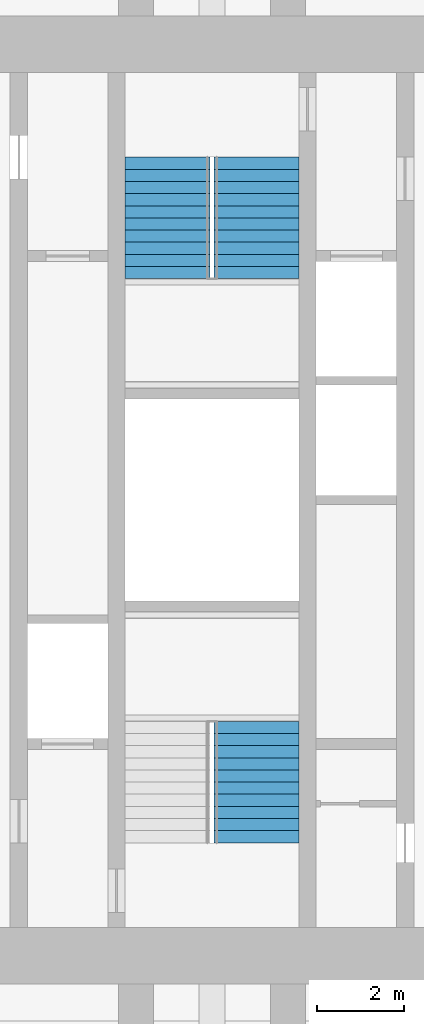
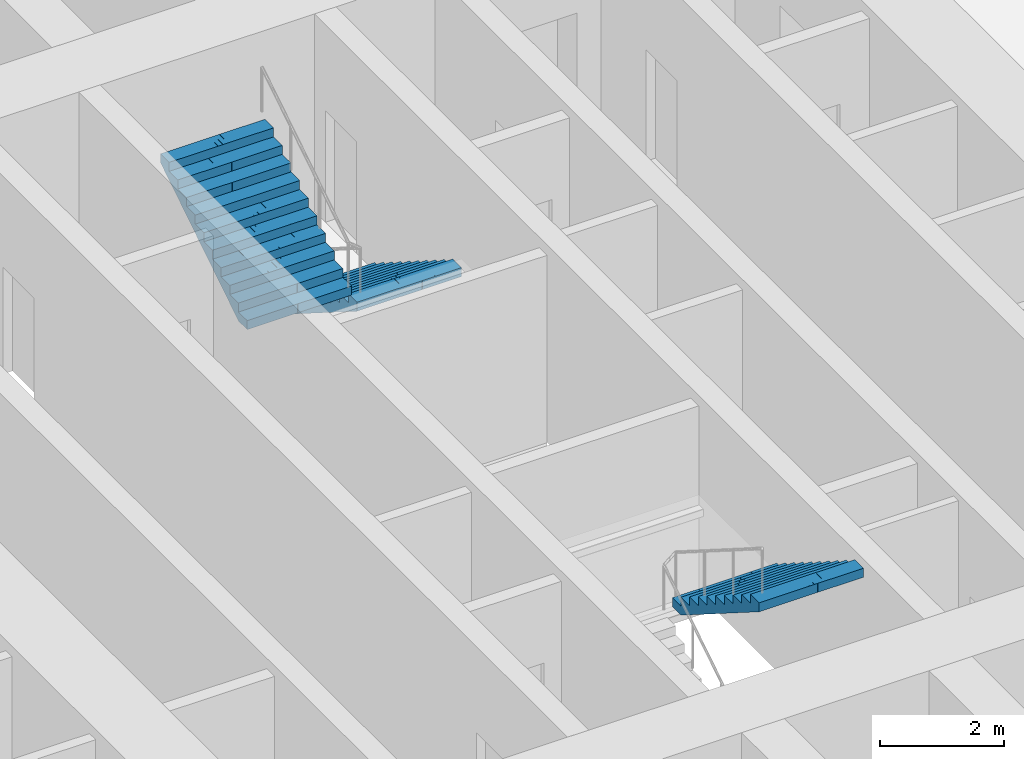
# One storey, part 16 of 17: 3 stair flights, 2 elements without a shape of their own.
"""IFC4 building model written with IfcOpenShell, lengths in metres."""

from ifc_helpers import new_model, si_unit, direction, frame, origin, place, context, subcontext, project, spatial, polyline, outline, extrude, material, type_object, element, aggregate, save


model = new_model("IFC4")

# Units and contexts
model_context = context("Model", 3, precision=1e-05, world=origin(), true_north=direction((0.0, 1.0)))
body_context = subcontext(model_context, "Body", "Model", "MODEL_VIEW")
ifc_project = project(units=[si_unit("LENGTHUNIT", "METRE"), si_unit("AREAUNIT", "SQUARE_METRE"), si_unit("VOLUMEUNIT", "CUBIC_METRE"), si_unit("PLANEANGLEUNIT", "RADIAN"), si_unit("MASSUNIT", "GRAM", prefix="KILO")], contexts=[model_context])

# Site, building, storey
site_placement = place(None, origin())
site = spatial("IfcSite", under=ifc_project, at=site_placement, CompositionType="ELEMENT")
building_placement = place(site_placement, origin())
building = spatial("IfcBuilding", under=site, at=building_placement, Name="Mizan Broadcast Tower", CompositionType="ELEMENT")
storey_placement = place(building_placement, frame((0.0, 0.0, 255.60009765625)))
storey = spatial("IfcBuildingStorey", under=building, at=storey_placement, Name="L60", CompositionType="ELEMENT", Elevation=255.60009765625)

# Stair, stair flight
ifc_material_1 = material(Name="Concrete C40/50", Category="concrete")
stair_type = type_object("IfcStairType", Name="EXIT STAIR", PredefinedType="HALF_TURN_STAIR", material=ifc_material_1)
stair_1_placement = place(storey_placement, origin())
stair_1 = element("IfcStair", 1, at=stair_1_placement, inside=storey, type_object=stair_type, Name="Stair A L60", PredefinedType="HALF_TURN_STAIR")
ifc_material_2 = material(Name="Concrete C40/50", Category="concrete")
stair_flight_type = type_object("IfcStairFlightType", Name="EXIT STAIR FLIGHT", PredefinedType="STRAIGHT", material=ifc_material_2)
stair_flight_1_placement = place(storey_placement, frame((1.02490234375, -5.10009765625, 1.949951171875), z_axis=(0.0, 0.0, 1.0), x_axis=(0.0, -1.0, 0.0)))
stair_flight_1 = element("IfcStairFlight", 2, at=stair_flight_1_placement, type_object=stair_flight_type, Name="A flight 2", NumberOfRisers=11, NumberOfTreads=10, PredefinedType="STRAIGHT", RiserHeight=0.177272727, TreadLength=0.28, context=body_context, shape_type="SweptSolid", body=[
    extrude(outline(polyline([(0.0, 0.0), (0.0, 0.17724609375), (0.280029296875, 0.17724609375), (0.280029296875, 0.3544921875), (0.56005859375, 0.3544921875), (0.56005859375, 0.53173828125), (0.840087890625, 0.53173828125), (0.840087890625, 0.708984375), (1.1201171875, 0.708984375), (1.1201171875, 0.886474609375), (1.39990234375, 0.886474609375), (1.39990234375, 1.063720703125), (1.679931640625, 1.063720703125), (1.679931640625, 1.240966796875), (1.9599609375, 1.240966796875), (1.9599609375, 1.418212890625), (2.239990234375, 1.418212890625), (2.239990234375, 1.595458984375), (2.52001953125, 1.595458984375), (2.52001953125, 1.772705078125), (2.800048828125, 1.772705078125), (2.800048828125, 1.949951171875), (2.800048828125, 1.59521484375), (0.2802734375, 0.0), (0.0, 0.0)])), frame((0.0, 0.97509765625, 0.0), z_axis=(0.0, -1.0, 0.0), x_axis=(1.0, 0.0, 0.0)), (0.0, 0.0, 1.0), 0.4873046875),
    extrude(outline(polyline([(0.0, 0.0), (0.0, 0.17724609375), (0.280029296875, 0.17724609375), (0.280029296875, 0.3544921875), (0.56005859375, 0.3544921875), (0.56005859375, 0.53173828125), (0.840087890625, 0.53173828125), (0.840087890625, 0.708984375), (1.1201171875, 0.708984375), (1.1201171875, 0.886474609375), (1.39990234375, 0.886474609375), (1.39990234375, 1.063720703125), (1.679931640625, 1.063720703125), (1.679931640625, 1.240966796875), (1.9599609375, 1.240966796875), (1.9599609375, 1.418212890625), (2.239990234375, 1.418212890625), (2.239990234375, 1.595458984375), (2.52001953125, 1.595458984375), (2.52001953125, 1.772705078125), (2.800048828125, 1.772705078125), (2.800048828125, 1.949951171875), (2.800048828125, 1.59521484375), (0.2802734375, 0.0), (0.0, 0.0)])), frame((0.0, 0.4873046875, 0.0), z_axis=(0.0, -1.0, 0.0), x_axis=(1.0, 0.0, 0.0)), (0.0, 0.0, 1.0), 0.2431640625),
    extrude(outline(polyline([(0.0, 0.0), (0.0, 0.17724609375), (0.280029296875, 0.17724609375), (0.280029296875, 0.3544921875), (0.56005859375, 0.3544921875), (0.56005859375, 0.53173828125), (0.840087890625, 0.53173828125), (0.840087890625, 0.708984375), (1.1201171875, 0.708984375), (1.1201171875, 0.886474609375), (1.39990234375, 0.886474609375), (1.39990234375, 1.063720703125), (1.679931640625, 1.063720703125), (1.679931640625, 1.240966796875), (1.9599609375, 1.240966796875), (1.9599609375, 1.418212890625), (2.239990234375, 1.418212890625), (2.239990234375, 1.595458984375), (2.52001953125, 1.595458984375), (2.52001953125, 1.772705078125), (2.800048828125, 1.772705078125), (2.800048828125, 1.949951171875), (2.800048828125, 1.59521484375), (0.2802734375, 0.0), (0.0, 0.0)])), frame((0.0, 0.24365234375, 0.0), z_axis=(0.0, -1.0, 0.0), x_axis=(1.0, 0.0, 0.0)), (0.0, 0.0, 1.0), 0.121337890625),
    extrude(outline(polyline([(0.0, 0.0), (0.0, 0.17724609375), (0.280029296875, 0.17724609375), (0.280029296875, 0.3544921875), (0.56005859375, 0.3544921875), (0.56005859375, 0.53173828125), (0.840087890625, 0.53173828125), (0.840087890625, 0.708984375), (1.1201171875, 0.708984375), (1.1201171875, 0.886474609375), (1.39990234375, 0.886474609375), (1.39990234375, 1.063720703125), (1.679931640625, 1.063720703125), (1.679931640625, 1.240966796875), (1.9599609375, 1.240966796875), (1.9599609375, 1.418212890625), (2.239990234375, 1.418212890625), (2.239990234375, 1.595458984375), (2.52001953125, 1.595458984375), (2.52001953125, 1.772705078125), (2.800048828125, 1.772705078125), (2.800048828125, 1.949951171875), (2.800048828125, 1.59521484375), (0.2802734375, 0.0), (0.0, 0.0)])), frame((0.0, 0.121826171875, 0.0), z_axis=(0.0, -1.0, 0.0), x_axis=(1.0, 0.0, 0.0)), (0.0, 0.0, 1.0), 0.060546875),
    extrude(outline(polyline([(0.0, 0.0), (0.0, 0.17724609375), (0.280029296875, 0.17724609375), (0.280029296875, 0.3544921875), (0.56005859375, 0.3544921875), (0.56005859375, 0.53173828125), (0.840087890625, 0.53173828125), (0.840087890625, 0.708984375), (1.1201171875, 0.708984375), (1.1201171875, 0.886474609375), (1.39990234375, 0.886474609375), (1.39990234375, 1.063720703125), (1.679931640625, 1.063720703125), (1.679931640625, 1.240966796875), (1.9599609375, 1.240966796875), (1.9599609375, 1.418212890625), (2.239990234375, 1.418212890625), (2.239990234375, 1.595458984375), (2.52001953125, 1.595458984375), (2.52001953125, 1.772705078125), (2.800048828125, 1.772705078125), (2.800048828125, 1.949951171875), (2.800048828125, 1.59521484375), (0.2802734375, 0.0), (0.0, 0.0)])), frame((0.0, 0.060791015625, 0.0), z_axis=(0.0, -1.0, 0.0), x_axis=(1.0, 0.0, 0.0)), (0.0, 0.0, 1.0), 0.030029296875),
    extrude(outline(polyline([(0.0, 0.0), (0.0, 0.17724609375), (0.280029296875, 0.17724609375), (0.280029296875, 0.3544921875), (0.56005859375, 0.3544921875), (0.56005859375, 0.53173828125), (0.840087890625, 0.53173828125), (0.840087890625, 0.708984375), (1.1201171875, 0.708984375), (1.1201171875, 0.886474609375), (1.39990234375, 0.886474609375), (1.39990234375, 1.063720703125), (1.679931640625, 1.063720703125), (1.679931640625, 1.240966796875), (1.9599609375, 1.240966796875), (1.9599609375, 1.418212890625), (2.239990234375, 1.418212890625), (2.239990234375, 1.595458984375), (2.52001953125, 1.595458984375), (2.52001953125, 1.772705078125), (2.800048828125, 1.772705078125), (2.800048828125, 1.949951171875), (2.800048828125, 1.59521484375), (0.2802734375, 0.0), (0.0, 0.0)])), frame((0.0, 0.0302734375, 0.0), z_axis=(0.0, -1.0, 0.0), x_axis=(1.0, 0.0, 0.0)), (0.0, 0.0, 1.0), 0.060302734375),
    extrude(outline(polyline([(0.0, 0.0), (0.0, 0.17724609375), (0.280029296875, 0.17724609375), (0.280029296875, 0.3544921875), (0.56005859375, 0.3544921875), (0.56005859375, 0.53173828125), (0.840087890625, 0.53173828125), (0.840087890625, 0.708984375), (1.1201171875, 0.708984375), (1.1201171875, 0.886474609375), (1.39990234375, 0.886474609375), (1.39990234375, 1.063720703125), (1.679931640625, 1.063720703125), (1.679931640625, 1.240966796875), (1.9599609375, 1.240966796875), (1.9599609375, 1.418212890625), (2.239990234375, 1.418212890625), (2.239990234375, 1.595458984375), (2.52001953125, 1.595458984375), (2.52001953125, 1.772705078125), (2.800048828125, 1.772705078125), (2.800048828125, 1.949951171875), (2.800048828125, 1.59521484375), (0.2802734375, 0.0), (0.0, 0.0)])), frame((0.0, -0.030517578125, 0.0), z_axis=(0.0, -1.0, 0.0), x_axis=(1.0, 0.0, 0.0)), (0.0, 0.0, 1.0), 0.030029296875),
    extrude(outline(polyline([(0.0, 0.0), (0.0, 0.17724609375), (0.280029296875, 0.17724609375), (0.280029296875, 0.3544921875), (0.56005859375, 0.3544921875), (0.56005859375, 0.53173828125), (0.840087890625, 0.53173828125), (0.840087890625, 0.708984375), (1.1201171875, 0.708984375), (1.1201171875, 0.886474609375), (1.39990234375, 0.886474609375), (1.39990234375, 1.063720703125), (1.679931640625, 1.063720703125), (1.679931640625, 1.240966796875), (1.9599609375, 1.240966796875), (1.9599609375, 1.418212890625), (2.239990234375, 1.418212890625), (2.239990234375, 1.595458984375), (2.52001953125, 1.595458984375), (2.52001953125, 1.772705078125), (2.800048828125, 1.772705078125), (2.800048828125, 1.949951171875), (2.800048828125, 1.59521484375), (0.2802734375, 0.0), (0.0, 0.0)])), frame((0.0, -0.06103515625, 0.0), z_axis=(0.0, -1.0, 0.0), x_axis=(1.0, 0.0, 0.0)), (0.0, 0.0, 1.0), 0.060546875),
    extrude(outline(polyline([(0.0, 0.0), (0.0, 0.17724609375), (0.280029296875, 0.17724609375), (0.280029296875, 0.3544921875), (0.56005859375, 0.3544921875), (0.56005859375, 0.53173828125), (0.840087890625, 0.53173828125), (0.840087890625, 0.708984375), (1.1201171875, 0.708984375), (1.1201171875, 0.886474609375), (1.39990234375, 0.886474609375), (1.39990234375, 1.063720703125), (1.679931640625, 1.063720703125), (1.679931640625, 1.240966796875), (1.9599609375, 1.240966796875), (1.9599609375, 1.418212890625), (2.239990234375, 1.418212890625), (2.239990234375, 1.595458984375), (2.52001953125, 1.595458984375), (2.52001953125, 1.772705078125), (2.800048828125, 1.772705078125), (2.800048828125, 1.949951171875), (2.800048828125, 1.59521484375), (0.2802734375, 0.0), (0.0, 0.0)])), frame((0.0, -0.1220703125, 0.0), z_axis=(0.0, -1.0, 0.0), x_axis=(1.0, 0.0, 0.0)), (0.0, 0.0, 1.0), 0.121337890625),
    extrude(outline(polyline([(0.0, 0.0), (0.0, 0.17724609375), (0.280029296875, 0.17724609375), (0.280029296875, 0.3544921875), (0.56005859375, 0.3544921875), (0.56005859375, 0.53173828125), (0.840087890625, 0.53173828125), (0.840087890625, 0.708984375), (1.1201171875, 0.708984375), (1.1201171875, 0.886474609375), (1.39990234375, 0.886474609375), (1.39990234375, 1.063720703125), (1.679931640625, 1.063720703125), (1.679931640625, 1.240966796875), (1.9599609375, 1.240966796875), (1.9599609375, 1.418212890625), (2.239990234375, 1.418212890625), (2.239990234375, 1.595458984375), (2.52001953125, 1.595458984375), (2.52001953125, 1.772705078125), (2.800048828125, 1.772705078125), (2.800048828125, 1.949951171875), (2.800048828125, 1.59521484375), (0.2802734375, 0.0), (0.0, 0.0)])), frame((0.0, -0.243896484375, 0.0), z_axis=(0.0, -1.0, 0.0), x_axis=(1.0, 0.0, 0.0)), (0.0, 0.0, 1.0), 0.2431640625),
    extrude(outline(polyline([(0.0, 0.0), (0.0, 0.17724609375), (0.280029296875, 0.17724609375), (0.280029296875, 0.3544921875), (0.56005859375, 0.3544921875), (0.56005859375, 0.53173828125), (0.840087890625, 0.53173828125), (0.840087890625, 0.708984375), (1.1201171875, 0.708984375), (1.1201171875, 0.886474609375), (1.39990234375, 0.886474609375), (1.39990234375, 1.063720703125), (1.679931640625, 1.063720703125), (1.679931640625, 1.240966796875), (1.9599609375, 1.240966796875), (1.9599609375, 1.418212890625), (2.239990234375, 1.418212890625), (2.239990234375, 1.595458984375), (2.52001953125, 1.595458984375), (2.52001953125, 1.772705078125), (2.800048828125, 1.772705078125), (2.800048828125, 1.949951171875), (2.800048828125, 1.59521484375), (0.2802734375, 0.0), (0.0, 0.0)])), frame((0.0, -0.487548828125, 0.0), z_axis=(0.0, -1.0, 0.0), x_axis=(1.0, 0.0, 0.0)), (0.0, 0.0, 1.0), 0.4873046875),
])
aggregate(stair_1, [stair_flight_1])

# Stair, stair flights
stair_2_placement = place(storey_placement, origin())
stair_2 = element("IfcStair", 3, at=stair_2_placement, inside=storey, type_object=stair_type, Name="Stair B L60", PredefinedType="HALF_TURN_STAIR")
stair_flight_2_placement = place(storey_placement, frame((1.02490234375, 7.89990234375, 0.0), z_axis=(0.0, 0.0, 1.0), x_axis=(0.0, -1.0, 0.0)))
stair_flight_2 = element("IfcStairFlight", 4, at=stair_flight_2_placement, type_object=stair_flight_type, Name="B flight 1", NumberOfRisers=11, NumberOfTreads=10, PredefinedType="STRAIGHT", RiserHeight=0.177272727, TreadLength=0.28, context=body_context, shape_type="SweptSolid", body=[
    extrude(outline(polyline([(0.0, 0.0), (0.0, 0.17724609375), (0.280029296875, 0.17724609375), (0.280029296875, 0.3544921875), (0.56005859375, 0.3544921875), (0.56005859375, 0.53173828125), (0.840087890625, 0.53173828125), (0.840087890625, 0.708984375), (1.1201171875, 0.708984375), (1.1201171875, 0.886474609375), (1.39990234375, 0.886474609375), (1.39990234375, 1.063720703125), (1.679931640625, 1.063720703125), (1.679931640625, 1.240966796875), (1.9599609375, 1.240966796875), (1.9599609375, 1.418212890625), (2.239990234375, 1.418212890625), (2.239990234375, 1.595458984375), (2.52001953125, 1.595458984375), (2.52001953125, 1.772705078125), (2.800048828125, 1.772705078125), (2.800048828125, 1.949951171875), (2.800048828125, 1.59521484375), (0.2802734375, 0.0), (0.0, 0.0)])), frame((0.0, 0.97509765625, 0.0), z_axis=(0.0, -1.0, 0.0), x_axis=(1.0, 0.0, 0.0)), (0.0, 0.0, 1.0), 0.4873046875),
    extrude(outline(polyline([(0.0, 0.0), (0.0, 0.17724609375), (0.280029296875, 0.17724609375), (0.280029296875, 0.3544921875), (0.56005859375, 0.3544921875), (0.56005859375, 0.53173828125), (0.840087890625, 0.53173828125), (0.840087890625, 0.708984375), (1.1201171875, 0.708984375), (1.1201171875, 0.886474609375), (1.39990234375, 0.886474609375), (1.39990234375, 1.063720703125), (1.679931640625, 1.063720703125), (1.679931640625, 1.240966796875), (1.9599609375, 1.240966796875), (1.9599609375, 1.418212890625), (2.239990234375, 1.418212890625), (2.239990234375, 1.595458984375), (2.52001953125, 1.595458984375), (2.52001953125, 1.772705078125), (2.800048828125, 1.772705078125), (2.800048828125, 1.949951171875), (2.800048828125, 1.59521484375), (0.2802734375, 0.0), (0.0, 0.0)])), frame((0.0, 0.4873046875, 0.0), z_axis=(0.0, -1.0, 0.0), x_axis=(1.0, 0.0, 0.0)), (0.0, 0.0, 1.0), 0.2431640625),
    extrude(outline(polyline([(0.0, 0.0), (0.0, 0.17724609375), (0.280029296875, 0.17724609375), (0.280029296875, 0.3544921875), (0.56005859375, 0.3544921875), (0.56005859375, 0.53173828125), (0.840087890625, 0.53173828125), (0.840087890625, 0.708984375), (1.1201171875, 0.708984375), (1.1201171875, 0.886474609375), (1.39990234375, 0.886474609375), (1.39990234375, 1.063720703125), (1.679931640625, 1.063720703125), (1.679931640625, 1.240966796875), (1.9599609375, 1.240966796875), (1.9599609375, 1.418212890625), (2.239990234375, 1.418212890625), (2.239990234375, 1.595458984375), (2.52001953125, 1.595458984375), (2.52001953125, 1.772705078125), (2.800048828125, 1.772705078125), (2.800048828125, 1.949951171875), (2.800048828125, 1.59521484375), (0.2802734375, 0.0), (0.0, 0.0)])), frame((0.0, 0.24365234375, 0.0), z_axis=(0.0, -1.0, 0.0), x_axis=(1.0, 0.0, 0.0)), (0.0, 0.0, 1.0), 0.121337890625),
    extrude(outline(polyline([(0.0, 0.0), (0.0, 0.17724609375), (0.280029296875, 0.17724609375), (0.280029296875, 0.3544921875), (0.56005859375, 0.3544921875), (0.56005859375, 0.53173828125), (0.840087890625, 0.53173828125), (0.840087890625, 0.708984375), (1.1201171875, 0.708984375), (1.1201171875, 0.886474609375), (1.39990234375, 0.886474609375), (1.39990234375, 1.063720703125), (1.679931640625, 1.063720703125), (1.679931640625, 1.240966796875), (1.9599609375, 1.240966796875), (1.9599609375, 1.418212890625), (2.239990234375, 1.418212890625), (2.239990234375, 1.595458984375), (2.52001953125, 1.595458984375), (2.52001953125, 1.772705078125), (2.800048828125, 1.772705078125), (2.800048828125, 1.949951171875), (2.800048828125, 1.59521484375), (0.2802734375, 0.0), (0.0, 0.0)])), frame((0.0, 0.121826171875, 0.0), z_axis=(0.0, -1.0, 0.0), x_axis=(1.0, 0.0, 0.0)), (0.0, 0.0, 1.0), 0.060546875),
    extrude(outline(polyline([(0.0, 0.0), (0.0, 0.17724609375), (0.280029296875, 0.17724609375), (0.280029296875, 0.3544921875), (0.56005859375, 0.3544921875), (0.56005859375, 0.53173828125), (0.840087890625, 0.53173828125), (0.840087890625, 0.708984375), (1.1201171875, 0.708984375), (1.1201171875, 0.886474609375), (1.39990234375, 0.886474609375), (1.39990234375, 1.063720703125), (1.679931640625, 1.063720703125), (1.679931640625, 1.240966796875), (1.9599609375, 1.240966796875), (1.9599609375, 1.418212890625), (2.239990234375, 1.418212890625), (2.239990234375, 1.595458984375), (2.52001953125, 1.595458984375), (2.52001953125, 1.772705078125), (2.800048828125, 1.772705078125), (2.800048828125, 1.949951171875), (2.800048828125, 1.59521484375), (0.2802734375, 0.0), (0.0, 0.0)])), frame((0.0, 0.060791015625, 0.0), z_axis=(0.0, -1.0, 0.0), x_axis=(1.0, 0.0, 0.0)), (0.0, 0.0, 1.0), 0.030029296875),
    extrude(outline(polyline([(0.0, 0.0), (0.0, 0.17724609375), (0.280029296875, 0.17724609375), (0.280029296875, 0.3544921875), (0.56005859375, 0.3544921875), (0.56005859375, 0.53173828125), (0.840087890625, 0.53173828125), (0.840087890625, 0.708984375), (1.1201171875, 0.708984375), (1.1201171875, 0.886474609375), (1.39990234375, 0.886474609375), (1.39990234375, 1.063720703125), (1.679931640625, 1.063720703125), (1.679931640625, 1.240966796875), (1.9599609375, 1.240966796875), (1.9599609375, 1.418212890625), (2.239990234375, 1.418212890625), (2.239990234375, 1.595458984375), (2.52001953125, 1.595458984375), (2.52001953125, 1.772705078125), (2.800048828125, 1.772705078125), (2.800048828125, 1.949951171875), (2.800048828125, 1.59521484375), (0.2802734375, 0.0), (0.0, 0.0)])), frame((0.0, 0.0302734375, 0.0), z_axis=(0.0, -1.0, 0.0), x_axis=(1.0, 0.0, 0.0)), (0.0, 0.0, 1.0), 0.060302734375),
    extrude(outline(polyline([(0.0, 0.0), (0.0, 0.17724609375), (0.280029296875, 0.17724609375), (0.280029296875, 0.3544921875), (0.56005859375, 0.3544921875), (0.56005859375, 0.53173828125), (0.840087890625, 0.53173828125), (0.840087890625, 0.708984375), (1.1201171875, 0.708984375), (1.1201171875, 0.886474609375), (1.39990234375, 0.886474609375), (1.39990234375, 1.063720703125), (1.679931640625, 1.063720703125), (1.679931640625, 1.240966796875), (1.9599609375, 1.240966796875), (1.9599609375, 1.418212890625), (2.239990234375, 1.418212890625), (2.239990234375, 1.595458984375), (2.52001953125, 1.595458984375), (2.52001953125, 1.772705078125), (2.800048828125, 1.772705078125), (2.800048828125, 1.949951171875), (2.800048828125, 1.59521484375), (0.2802734375, 0.0), (0.0, 0.0)])), frame((0.0, -0.030517578125, 0.0), z_axis=(0.0, -1.0, 0.0), x_axis=(1.0, 0.0, 0.0)), (0.0, 0.0, 1.0), 0.030029296875),
    extrude(outline(polyline([(0.0, 0.0), (0.0, 0.17724609375), (0.280029296875, 0.17724609375), (0.280029296875, 0.3544921875), (0.56005859375, 0.3544921875), (0.56005859375, 0.53173828125), (0.840087890625, 0.53173828125), (0.840087890625, 0.708984375), (1.1201171875, 0.708984375), (1.1201171875, 0.886474609375), (1.39990234375, 0.886474609375), (1.39990234375, 1.063720703125), (1.679931640625, 1.063720703125), (1.679931640625, 1.240966796875), (1.9599609375, 1.240966796875), (1.9599609375, 1.418212890625), (2.239990234375, 1.418212890625), (2.239990234375, 1.595458984375), (2.52001953125, 1.595458984375), (2.52001953125, 1.772705078125), (2.800048828125, 1.772705078125), (2.800048828125, 1.949951171875), (2.800048828125, 1.59521484375), (0.2802734375, 0.0), (0.0, 0.0)])), frame((0.0, -0.06103515625, 0.0), z_axis=(0.0, -1.0, 0.0), x_axis=(1.0, 0.0, 0.0)), (0.0, 0.0, 1.0), 0.060546875),
    extrude(outline(polyline([(0.0, 0.0), (0.0, 0.17724609375), (0.280029296875, 0.17724609375), (0.280029296875, 0.3544921875), (0.56005859375, 0.3544921875), (0.56005859375, 0.53173828125), (0.840087890625, 0.53173828125), (0.840087890625, 0.708984375), (1.1201171875, 0.708984375), (1.1201171875, 0.886474609375), (1.39990234375, 0.886474609375), (1.39990234375, 1.063720703125), (1.679931640625, 1.063720703125), (1.679931640625, 1.240966796875), (1.9599609375, 1.240966796875), (1.9599609375, 1.418212890625), (2.239990234375, 1.418212890625), (2.239990234375, 1.595458984375), (2.52001953125, 1.595458984375), (2.52001953125, 1.772705078125), (2.800048828125, 1.772705078125), (2.800048828125, 1.949951171875), (2.800048828125, 1.59521484375), (0.2802734375, 0.0), (0.0, 0.0)])), frame((0.0, -0.1220703125, 0.0), z_axis=(0.0, -1.0, 0.0), x_axis=(1.0, 0.0, 0.0)), (0.0, 0.0, 1.0), 0.121337890625),
    extrude(outline(polyline([(0.0, 0.0), (0.0, 0.17724609375), (0.280029296875, 0.17724609375), (0.280029296875, 0.3544921875), (0.56005859375, 0.3544921875), (0.56005859375, 0.53173828125), (0.840087890625, 0.53173828125), (0.840087890625, 0.708984375), (1.1201171875, 0.708984375), (1.1201171875, 0.886474609375), (1.39990234375, 0.886474609375), (1.39990234375, 1.063720703125), (1.679931640625, 1.063720703125), (1.679931640625, 1.240966796875), (1.9599609375, 1.240966796875), (1.9599609375, 1.418212890625), (2.239990234375, 1.418212890625), (2.239990234375, 1.595458984375), (2.52001953125, 1.595458984375), (2.52001953125, 1.772705078125), (2.800048828125, 1.772705078125), (2.800048828125, 1.949951171875), (2.800048828125, 1.59521484375), (0.2802734375, 0.0), (0.0, 0.0)])), frame((0.0, -0.243896484375, 0.0), z_axis=(0.0, -1.0, 0.0), x_axis=(1.0, 0.0, 0.0)), (0.0, 0.0, 1.0), 0.2431640625),
    extrude(outline(polyline([(0.0, 0.0), (0.0, 0.17724609375), (0.280029296875, 0.17724609375), (0.280029296875, 0.3544921875), (0.56005859375, 0.3544921875), (0.56005859375, 0.53173828125), (0.840087890625, 0.53173828125), (0.840087890625, 0.708984375), (1.1201171875, 0.708984375), (1.1201171875, 0.886474609375), (1.39990234375, 0.886474609375), (1.39990234375, 1.063720703125), (1.679931640625, 1.063720703125), (1.679931640625, 1.240966796875), (1.9599609375, 1.240966796875), (1.9599609375, 1.418212890625), (2.239990234375, 1.418212890625), (2.239990234375, 1.595458984375), (2.52001953125, 1.595458984375), (2.52001953125, 1.772705078125), (2.800048828125, 1.772705078125), (2.800048828125, 1.949951171875), (2.800048828125, 1.59521484375), (0.2802734375, 0.0), (0.0, 0.0)])), frame((0.0, -0.487548828125, 0.0), z_axis=(0.0, -1.0, 0.0), x_axis=(1.0, 0.0, 0.0)), (0.0, 0.0, 1.0), 0.4873046875),
])
stair_flight_3_placement = place(storey_placement, frame((-1.02490234375, 5.10009765625, 1.949951171875), z_axis=(0.0, 0.0, 1.0), x_axis=(0.0, 1.0, 0.0)))
stair_flight_3 = element("IfcStairFlight", 5, at=stair_flight_3_placement, type_object=stair_flight_type, Name="B flight 2", NumberOfRisers=11, NumberOfTreads=10, PredefinedType="STRAIGHT", RiserHeight=0.177272727, TreadLength=0.28, context=body_context, shape_type="SweptSolid", body=[
    extrude(outline(polyline([(0.0, 0.0), (0.0, 0.17724609375), (0.280029296875, 0.17724609375), (0.280029296875, 0.3544921875), (0.56005859375, 0.3544921875), (0.56005859375, 0.53173828125), (0.840087890625, 0.53173828125), (0.840087890625, 0.708984375), (1.1201171875, 0.708984375), (1.1201171875, 0.886474609375), (1.39990234375, 0.886474609375), (1.39990234375, 1.063720703125), (1.679931640625, 1.063720703125), (1.679931640625, 1.240966796875), (1.9599609375, 1.240966796875), (1.9599609375, 1.418212890625), (2.239990234375, 1.418212890625), (2.239990234375, 1.595458984375), (2.52001953125, 1.595458984375), (2.52001953125, 1.772705078125), (2.800048828125, 1.772705078125), (2.800048828125, 1.949951171875), (2.800048828125, 1.59521484375), (0.2802734375, 0.0), (0.0, 0.0)])), frame((0.0, 0.97509765625, 0.0), z_axis=(0.0, -1.0, 0.0), x_axis=(1.0, 0.0, 0.0)), (0.0, 0.0, 1.0), 0.4873046875),
    extrude(outline(polyline([(0.0, 0.0), (0.0, 0.17724609375), (0.280029296875, 0.17724609375), (0.280029296875, 0.3544921875), (0.56005859375, 0.3544921875), (0.56005859375, 0.53173828125), (0.840087890625, 0.53173828125), (0.840087890625, 0.708984375), (1.1201171875, 0.708984375), (1.1201171875, 0.886474609375), (1.39990234375, 0.886474609375), (1.39990234375, 1.063720703125), (1.679931640625, 1.063720703125), (1.679931640625, 1.240966796875), (1.9599609375, 1.240966796875), (1.9599609375, 1.418212890625), (2.239990234375, 1.418212890625), (2.239990234375, 1.595458984375), (2.52001953125, 1.595458984375), (2.52001953125, 1.772705078125), (2.800048828125, 1.772705078125), (2.800048828125, 1.949951171875), (2.800048828125, 1.59521484375), (0.2802734375, 0.0), (0.0, 0.0)])), frame((0.0, 0.4873046875, 0.0), z_axis=(0.0, -1.0, 0.0), x_axis=(1.0, 0.0, 0.0)), (0.0, 0.0, 1.0), 0.2431640625),
    extrude(outline(polyline([(0.0, 0.0), (0.0, 0.17724609375), (0.280029296875, 0.17724609375), (0.280029296875, 0.3544921875), (0.56005859375, 0.3544921875), (0.56005859375, 0.53173828125), (0.840087890625, 0.53173828125), (0.840087890625, 0.708984375), (1.1201171875, 0.708984375), (1.1201171875, 0.886474609375), (1.39990234375, 0.886474609375), (1.39990234375, 1.063720703125), (1.679931640625, 1.063720703125), (1.679931640625, 1.240966796875), (1.9599609375, 1.240966796875), (1.9599609375, 1.418212890625), (2.239990234375, 1.418212890625), (2.239990234375, 1.595458984375), (2.52001953125, 1.595458984375), (2.52001953125, 1.772705078125), (2.800048828125, 1.772705078125), (2.800048828125, 1.949951171875), (2.800048828125, 1.59521484375), (0.2802734375, 0.0), (0.0, 0.0)])), frame((0.0, 0.24365234375, 0.0), z_axis=(0.0, -1.0, 0.0), x_axis=(1.0, 0.0, 0.0)), (0.0, 0.0, 1.0), 0.121337890625),
    extrude(outline(polyline([(0.0, 0.0), (0.0, 0.17724609375), (0.280029296875, 0.17724609375), (0.280029296875, 0.3544921875), (0.56005859375, 0.3544921875), (0.56005859375, 0.53173828125), (0.840087890625, 0.53173828125), (0.840087890625, 0.708984375), (1.1201171875, 0.708984375), (1.1201171875, 0.886474609375), (1.39990234375, 0.886474609375), (1.39990234375, 1.063720703125), (1.679931640625, 1.063720703125), (1.679931640625, 1.240966796875), (1.9599609375, 1.240966796875), (1.9599609375, 1.418212890625), (2.239990234375, 1.418212890625), (2.239990234375, 1.595458984375), (2.52001953125, 1.595458984375), (2.52001953125, 1.772705078125), (2.800048828125, 1.772705078125), (2.800048828125, 1.949951171875), (2.800048828125, 1.59521484375), (0.2802734375, 0.0), (0.0, 0.0)])), frame((0.0, 0.121826171875, 0.0), z_axis=(0.0, -1.0, 0.0), x_axis=(1.0, 0.0, 0.0)), (0.0, 0.0, 1.0), 0.060546875),
    extrude(outline(polyline([(0.0, 0.0), (0.0, 0.17724609375), (0.280029296875, 0.17724609375), (0.280029296875, 0.3544921875), (0.56005859375, 0.3544921875), (0.56005859375, 0.53173828125), (0.840087890625, 0.53173828125), (0.840087890625, 0.708984375), (1.1201171875, 0.708984375), (1.1201171875, 0.886474609375), (1.39990234375, 0.886474609375), (1.39990234375, 1.063720703125), (1.679931640625, 1.063720703125), (1.679931640625, 1.240966796875), (1.9599609375, 1.240966796875), (1.9599609375, 1.418212890625), (2.239990234375, 1.418212890625), (2.239990234375, 1.595458984375), (2.52001953125, 1.595458984375), (2.52001953125, 1.772705078125), (2.800048828125, 1.772705078125), (2.800048828125, 1.949951171875), (2.800048828125, 1.59521484375), (0.2802734375, 0.0), (0.0, 0.0)])), frame((0.0, 0.060791015625, 0.0), z_axis=(0.0, -1.0, 0.0), x_axis=(1.0, 0.0, 0.0)), (0.0, 0.0, 1.0), 0.030029296875),
    extrude(outline(polyline([(0.0, 0.0), (0.0, 0.17724609375), (0.280029296875, 0.17724609375), (0.280029296875, 0.3544921875), (0.56005859375, 0.3544921875), (0.56005859375, 0.53173828125), (0.840087890625, 0.53173828125), (0.840087890625, 0.708984375), (1.1201171875, 0.708984375), (1.1201171875, 0.886474609375), (1.39990234375, 0.886474609375), (1.39990234375, 1.063720703125), (1.679931640625, 1.063720703125), (1.679931640625, 1.240966796875), (1.9599609375, 1.240966796875), (1.9599609375, 1.418212890625), (2.239990234375, 1.418212890625), (2.239990234375, 1.595458984375), (2.52001953125, 1.595458984375), (2.52001953125, 1.772705078125), (2.800048828125, 1.772705078125), (2.800048828125, 1.949951171875), (2.800048828125, 1.59521484375), (0.2802734375, 0.0), (0.0, 0.0)])), frame((0.0, 0.0302734375, 0.0), z_axis=(0.0, -1.0, 0.0), x_axis=(1.0, 0.0, 0.0)), (0.0, 0.0, 1.0), 0.060302734375),
    extrude(outline(polyline([(0.0, 0.0), (0.0, 0.17724609375), (0.280029296875, 0.17724609375), (0.280029296875, 0.3544921875), (0.56005859375, 0.3544921875), (0.56005859375, 0.53173828125), (0.840087890625, 0.53173828125), (0.840087890625, 0.708984375), (1.1201171875, 0.708984375), (1.1201171875, 0.886474609375), (1.39990234375, 0.886474609375), (1.39990234375, 1.063720703125), (1.679931640625, 1.063720703125), (1.679931640625, 1.240966796875), (1.9599609375, 1.240966796875), (1.9599609375, 1.418212890625), (2.239990234375, 1.418212890625), (2.239990234375, 1.595458984375), (2.52001953125, 1.595458984375), (2.52001953125, 1.772705078125), (2.800048828125, 1.772705078125), (2.800048828125, 1.949951171875), (2.800048828125, 1.59521484375), (0.2802734375, 0.0), (0.0, 0.0)])), frame((0.0, -0.030517578125, 0.0), z_axis=(0.0, -1.0, 0.0), x_axis=(1.0, 0.0, 0.0)), (0.0, 0.0, 1.0), 0.030029296875),
    extrude(outline(polyline([(0.0, 0.0), (0.0, 0.17724609375), (0.280029296875, 0.17724609375), (0.280029296875, 0.3544921875), (0.56005859375, 0.3544921875), (0.56005859375, 0.53173828125), (0.840087890625, 0.53173828125), (0.840087890625, 0.708984375), (1.1201171875, 0.708984375), (1.1201171875, 0.886474609375), (1.39990234375, 0.886474609375), (1.39990234375, 1.063720703125), (1.679931640625, 1.063720703125), (1.679931640625, 1.240966796875), (1.9599609375, 1.240966796875), (1.9599609375, 1.418212890625), (2.239990234375, 1.418212890625), (2.239990234375, 1.595458984375), (2.52001953125, 1.595458984375), (2.52001953125, 1.772705078125), (2.800048828125, 1.772705078125), (2.800048828125, 1.949951171875), (2.800048828125, 1.59521484375), (0.2802734375, 0.0), (0.0, 0.0)])), frame((0.0, -0.06103515625, 0.0), z_axis=(0.0, -1.0, 0.0), x_axis=(1.0, 0.0, 0.0)), (0.0, 0.0, 1.0), 0.060546875),
    extrude(outline(polyline([(0.0, 0.0), (0.0, 0.17724609375), (0.280029296875, 0.17724609375), (0.280029296875, 0.3544921875), (0.56005859375, 0.3544921875), (0.56005859375, 0.53173828125), (0.840087890625, 0.53173828125), (0.840087890625, 0.708984375), (1.1201171875, 0.708984375), (1.1201171875, 0.886474609375), (1.39990234375, 0.886474609375), (1.39990234375, 1.063720703125), (1.679931640625, 1.063720703125), (1.679931640625, 1.240966796875), (1.9599609375, 1.240966796875), (1.9599609375, 1.418212890625), (2.239990234375, 1.418212890625), (2.239990234375, 1.595458984375), (2.52001953125, 1.595458984375), (2.52001953125, 1.772705078125), (2.800048828125, 1.772705078125), (2.800048828125, 1.949951171875), (2.800048828125, 1.59521484375), (0.2802734375, 0.0), (0.0, 0.0)])), frame((0.0, -0.1220703125, 0.0), z_axis=(0.0, -1.0, 0.0), x_axis=(1.0, 0.0, 0.0)), (0.0, 0.0, 1.0), 0.121337890625),
    extrude(outline(polyline([(0.0, 0.0), (0.0, 0.17724609375), (0.280029296875, 0.17724609375), (0.280029296875, 0.3544921875), (0.56005859375, 0.3544921875), (0.56005859375, 0.53173828125), (0.840087890625, 0.53173828125), (0.840087890625, 0.708984375), (1.1201171875, 0.708984375), (1.1201171875, 0.886474609375), (1.39990234375, 0.886474609375), (1.39990234375, 1.063720703125), (1.679931640625, 1.063720703125), (1.679931640625, 1.240966796875), (1.9599609375, 1.240966796875), (1.9599609375, 1.418212890625), (2.239990234375, 1.418212890625), (2.239990234375, 1.595458984375), (2.52001953125, 1.595458984375), (2.52001953125, 1.772705078125), (2.800048828125, 1.772705078125), (2.800048828125, 1.949951171875), (2.800048828125, 1.59521484375), (0.2802734375, 0.0), (0.0, 0.0)])), frame((0.0, -0.243896484375, 0.0), z_axis=(0.0, -1.0, 0.0), x_axis=(1.0, 0.0, 0.0)), (0.0, 0.0, 1.0), 0.2431640625),
    extrude(outline(polyline([(0.0, 0.0), (0.0, 0.17724609375), (0.280029296875, 0.17724609375), (0.280029296875, 0.3544921875), (0.56005859375, 0.3544921875), (0.56005859375, 0.53173828125), (0.840087890625, 0.53173828125), (0.840087890625, 0.708984375), (1.1201171875, 0.708984375), (1.1201171875, 0.886474609375), (1.39990234375, 0.886474609375), (1.39990234375, 1.063720703125), (1.679931640625, 1.063720703125), (1.679931640625, 1.240966796875), (1.9599609375, 1.240966796875), (1.9599609375, 1.418212890625), (2.239990234375, 1.418212890625), (2.239990234375, 1.595458984375), (2.52001953125, 1.595458984375), (2.52001953125, 1.772705078125), (2.800048828125, 1.772705078125), (2.800048828125, 1.949951171875), (2.800048828125, 1.59521484375), (0.2802734375, 0.0), (0.0, 0.0)])), frame((0.0, -0.487548828125, 0.0), z_axis=(0.0, -1.0, 0.0), x_axis=(1.0, 0.0, 0.0)), (0.0, 0.0, 1.0), 0.4873046875),
])
aggregate(stair_2, [stair_flight_2, stair_flight_3])

save(model, "model.ifc")
